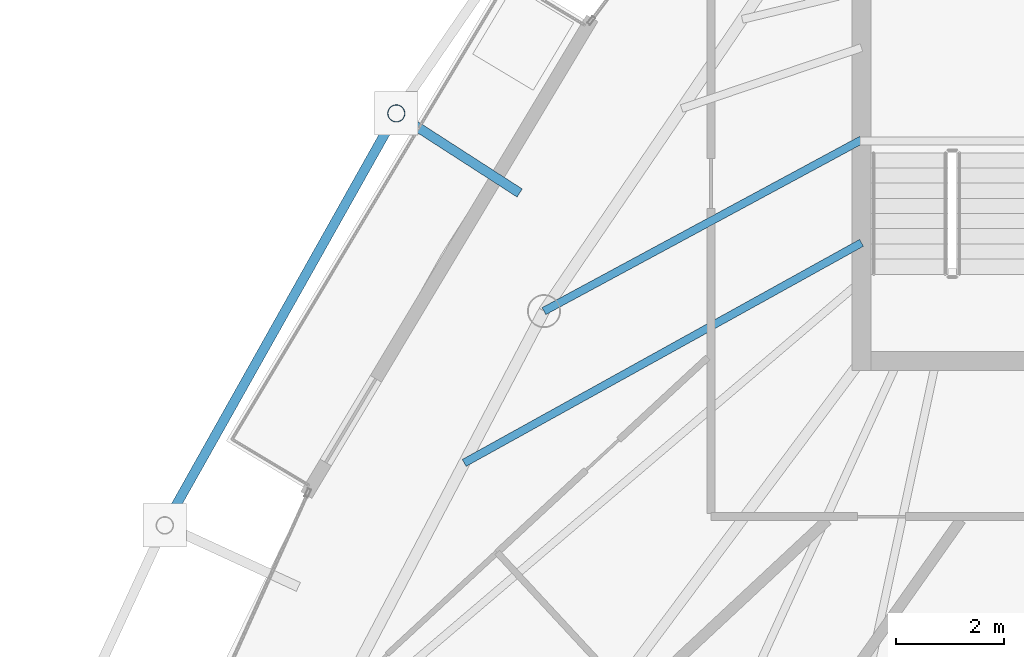
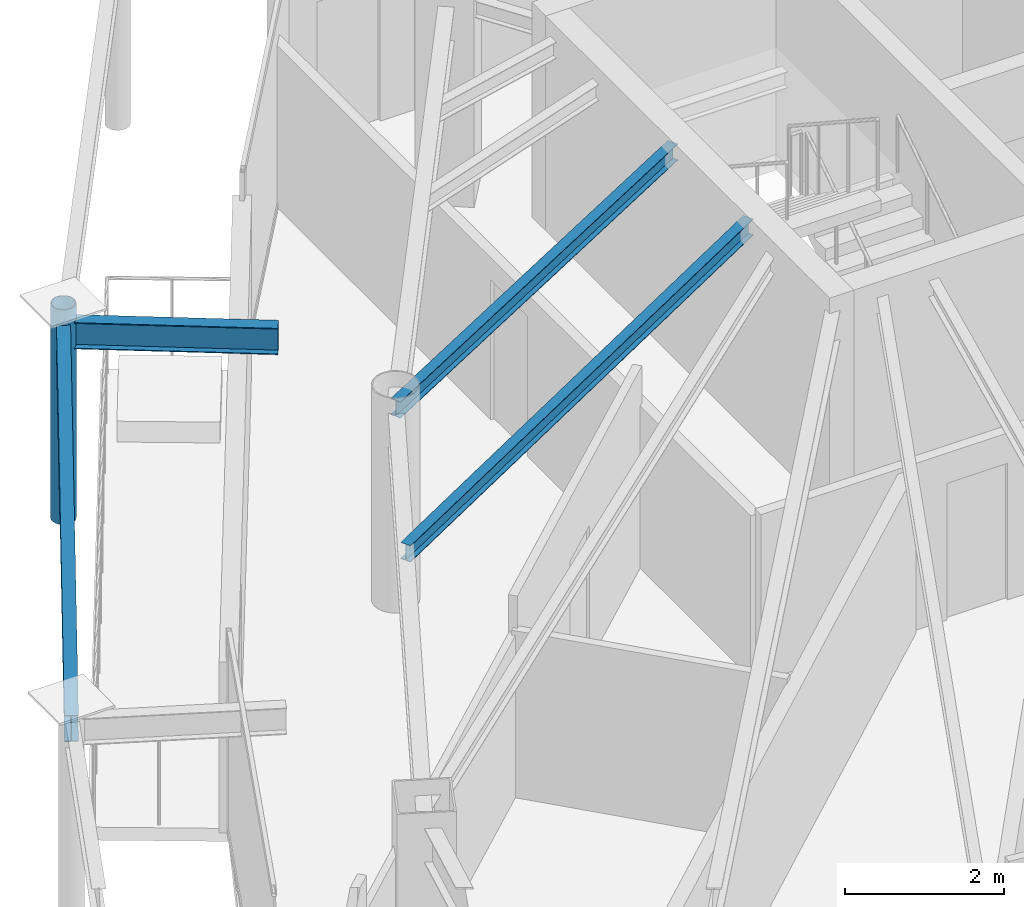
# One storey, part 11 of 32: 4 beams, 1 member.
"""IFC4 building model written with IfcOpenShell, lengths in metres."""

from ifc_helpers import new_model, si_unit, direction, frame, origin, origin_2d, place, context, subcontext, project, spatial, hollow_circle, i_section, extrude, material, material_profile, profile_set, type_object, element, save


model = new_model("IFC4")

# Units and contexts
model_context = context("Model", 3, precision=1e-05, world=origin(), true_north=direction((0.0, 1.0)))
body_context = subcontext(model_context, "Body", "Model", "MODEL_VIEW")
ifc_project = project(units=[si_unit("LENGTHUNIT", "METRE"), si_unit("AREAUNIT", "SQUARE_METRE"), si_unit("VOLUMEUNIT", "CUBIC_METRE"), si_unit("PLANEANGLEUNIT", "RADIAN"), si_unit("MASSUNIT", "GRAM", prefix="KILO")], contexts=[model_context])

# Site, building, storey
site_placement = place(None, origin())
site = spatial("IfcSite", under=ifc_project, at=site_placement, CompositionType="ELEMENT")
building_placement = place(site_placement, origin())
building = spatial("IfcBuilding", under=site, at=building_placement, Name="Orvanel Arch Residences", CompositionType="ELEMENT")
storey_placement = place(building_placement, frame((0.0, 0.0, 222.800048828125)))
storey = spatial("IfcBuildingStorey", under=building, at=storey_placement, Name="L63", CompositionType="ELEMENT", Elevation=222.800048828125)

# Beams
ifc_material_1 = material(Name="Structural steel AS/NZS 3679.1 Grade 300 (300 MPa)", Category="steel")
ifc_material_profile_1 = material_profile(ifc_material_1, i_section(OverallWidth=0.14599609375, OverallDepth=0.251953125, WebThickness=0.006103515625, FlangeThickness=0.008544921875, at=origin_2d()), Name="250UB31.4")
ifc_profile_set_1 = profile_set([ifc_material_profile_1], Name="Structural steel AS/NZS 3679.1 Grade 300 (300 MPa)")
beam_type_1 = type_object("IfcBeamType", Name="BJ-250UB", PredefinedType="JOIST", material=ifc_profile_set_1)
beam_1_placement = place(storey_placement, frame((26.425048828125, 30.800048828125, 2.933837890625), z_axis=(-0.880111494021, -0.474767056664, 0.0), x_axis=(0.474767056664, -0.880111494021, 0.0)))
element("IfcBeam", 1, at=beam_1_placement, inside=storey, type_object=beam_type_1, Name="L63 NW Wing Floor Joist", PredefinedType="JOIST", context=body_context, shape_type="SweptSolid", body=[
    extrude(i_section(OverallWidth=0.14599609375, OverallDepth=0.251953125, WebThickness=0.006103515625, FlangeThickness=0.008544921875, at=origin_2d()), origin(), (0.0, 0.0, 1.0), 6.653564453125),
])
beam_2_placement = place(storey_placement, frame((26.425048828125, 28.89990234375, 2.933837890625), z_axis=(-0.874754673235, -0.484566054996, 0.0), x_axis=(0.484566054996, -0.874754673235, 0.0)))
element("IfcBeam", 2, at=beam_2_placement, inside=storey, type_object=beam_type_1, Name="L63 CTW Wing Floor Joist", PredefinedType="JOIST", context=body_context, shape_type="SweptSolid", body=[
    extrude(i_section(OverallWidth=0.14599609375, OverallDepth=0.251953125, WebThickness=0.006103515625, FlangeThickness=0.008544921875, at=origin_2d()), origin(), (0.0, 0.0, 1.0), 8.376220703125),
])
ifc_material_profile_2 = material_profile(ifc_material_1, i_section(OverallWidth=0.177978515625, OverallDepth=0.406005859375, WebThickness=0.0078125, FlangeThickness=0.0126953125, at=origin_2d()), Name="410UB59.7")
ifc_profile_set_2 = profile_set([ifc_material_profile_2], Name="Structural steel AS/NZS 3679.1 Grade 300 (300 MPa)")
beam_type_2 = type_object("IfcBeamType", Name="OB-410UB-EXT", PredefinedType="SPANDREL", material=ifc_profile_set_2)
beam_3_placement = place(storey_placement, frame((20.12109375, 29.819091796875, 2.85693359375), z_axis=(-0.840266171647, 0.542174105603, 0.0), x_axis=(-0.542174105603, -0.840266171647, 0.0)))
element("IfcBeam", 3, at=beam_3_placement, inside=storey, type_object=beam_type_2, Name="L63 Outer Frame Radial Tie Beam 02", PredefinedType="SPANDREL", context=body_context, shape_type="SweptSolid", body=[
    extrude(i_section(OverallWidth=0.177978515625, OverallDepth=0.406005859375, WebThickness=0.0078125, FlangeThickness=0.0126953125, at=origin_2d()), origin(), (0.0, 0.0, 1.0), 2.707763671875),
])
beam_4_placement = place(storey_placement, frame((17.845947265625, 31.287109375, 2.85693359375), z_axis=(-0.489965941625, -0.871741576414, 0.0), x_axis=(0.871741576414, -0.489965941625, 0.0)))
element("IfcBeam", 4, at=beam_4_placement, inside=storey, type_object=beam_type_2, Name="L63 Outer Perimeter Floor Ring Beam 02", PredefinedType="SPANDREL", context=body_context, shape_type="SweptSolid", body=[
    extrude(i_section(OverallWidth=0.177978515625, OverallDepth=0.406005859375, WebThickness=0.0078125, FlangeThickness=0.0126953125, at=origin_2d()), origin(), (0.0, 0.0, 1.0), 8.71484375),
])

# Member
ifc_material_2 = material(Name="Structural steel AS/NZS 1163 C350L0 (Grade 350)", Category="steel")
ifc_material_profile_3 = material_profile(ifc_material_2, hollow_circle(Radius=0.162109375, WallThickness=0.0126953125, at=origin_2d()), Name="CHS324x12.7")
ifc_profile_set_3 = profile_set([ifc_material_profile_3], Name="Structural steel AS/NZS 1163 C350L0 (Grade 350)")
member_type = type_object("IfcMemberType", Name="ST-324CHS-EXT", PredefinedType="STRUT", material=ifc_profile_set_3)
member_placement = place(storey_placement, frame((17.845947265625, 31.287109375, 0.0), z_axis=(0.0, 0.0, 1.0), x_axis=(1.0, 0.0, 0.0)))
element("IfcMember", 5, at=member_placement, inside=storey, type_object=member_type, Name="L63 Outer Perimeter Frame Post 02", PredefinedType="STRUT", context=body_context, shape_type="SweptSolid", body=[
    extrude(hollow_circle(Radius=0.162109375, WallThickness=0.0126953125, at=origin_2d()), origin(), (0.0, 0.0, 1.0), 3.300048828125),
])

save(model, "model.ifc")
